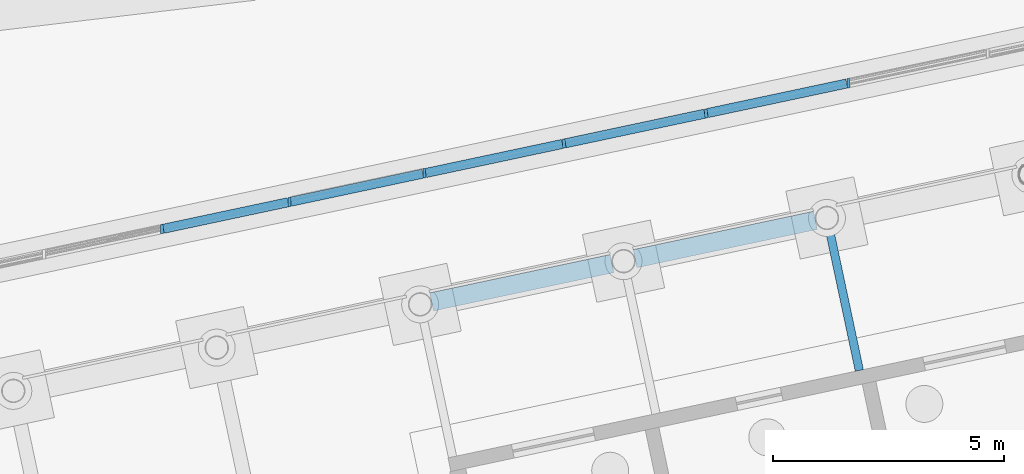
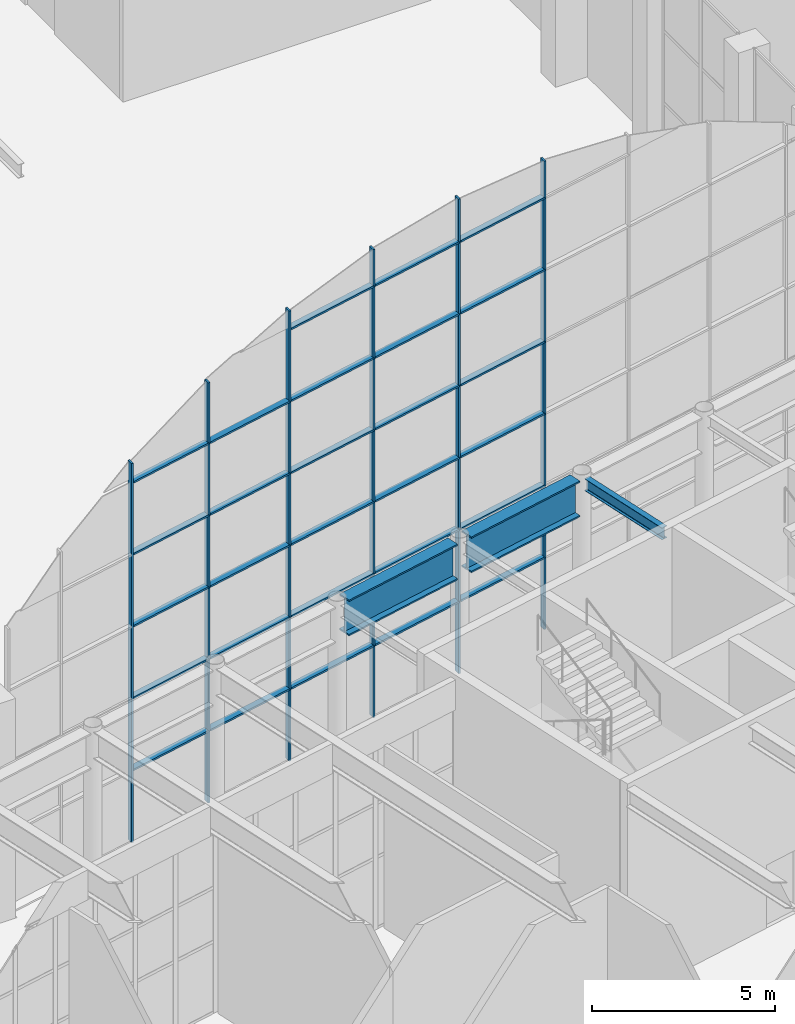
# One storey, part 105 of 239: 34 members, 3 beams, 1 element without a shape of its own.
"""IFC4 building model written with IfcOpenShell, lengths in metres."""

from ifc_helpers import new_model, si_unit, direction, frame, origin, origin_2d, place, context, subcontext, project, spatial, rectangle, i_section, extrude, material, material_profile, profile_set, type_object, element, aggregate, save


model = new_model("IFC4")

# Units and contexts
model_context = context("Model", 3, precision=1e-05, world=origin(), true_north=direction((0.0, 1.0)))
body_context = subcontext(model_context, "Body", "Model", "MODEL_VIEW")
ifc_project = project(units=[si_unit("LENGTHUNIT", "METRE"), si_unit("AREAUNIT", "SQUARE_METRE"), si_unit("VOLUMEUNIT", "CUBIC_METRE"), si_unit("PLANEANGLEUNIT", "RADIAN"), si_unit("MASSUNIT", "GRAM", prefix="KILO")], contexts=[model_context])

# Site, building, storey
site_placement = place(None, origin())
site = spatial("IfcSite", under=ifc_project, at=site_placement, CompositionType="ELEMENT")
building_placement = place(site_placement, origin())
building = spatial("IfcBuilding", under=site, at=building_placement, Name="Okhra Congress Centre", CompositionType="ELEMENT")
storey_placement = place(building_placement, origin())
storey = spatial("IfcBuildingStorey", under=building, at=storey_placement, Name="L00", CompositionType="ELEMENT", Elevation=0.0)

# Curtain wall, members
ifc_material_1 = material(Name="Aluminium frame with triple glazing", Category="aluminium")
curtain_wall_type = type_object("IfcCurtainWallType", Name="Glazed gable curtain wall", PredefinedType="NOTDEFINED", material=ifc_material_1)
curtain_wall_placement = place(storey_placement, origin())
curtain_wall = element("IfcCurtainWall", 1, at=curtain_wall_placement, inside=storey, type_object=curtain_wall_type, Name="South gable glazing", PredefinedType="NOTDEFINED")
ifc_material_2 = material(Name="Aluminium alloy 6063", Category="aluminium")
ifc_material_profile_1 = material_profile(ifc_material_2, rectangle(XDim=0.06005859375, YDim=0.199951171875, at=origin_2d()), Name="AL 60x200 gable")
ifc_profile_set_1 = profile_set([ifc_material_profile_1], Name="Aluminium alloy 6063")
member_type_1 = type_object("IfcMemberType", Name="Aluminium gable mullion 60x200", PredefinedType="MULLION", material=ifc_profile_set_1)
member_1_placement = place(storey_placement, frame((160.475830078125, 75.304931640625, 0.0), z_axis=(0.0, 0.0, 1.0), x_axis=(1.0, 0.0, 0.0)))
member_1 = element("IfcMember", 2, at=member_1_placement, type_object=member_type_1, Name="South gable glazing mullion 3", PredefinedType="MULLION", context=body_context, shape_type="SweptSolid", body=[
    extrude(rectangle(XDim=0.06005859375, YDim=0.199951171875, at=origin_2d()), origin(), (0.0, 0.0, 1.0), 12.65673828125),
])
member_2_placement = place(storey_placement, frame((163.235595703125, 75.8916015625, 0.0), z_axis=(0.0, 0.0, 1.0), x_axis=(1.0, 0.0, 0.0)))
member_2 = element("IfcMember", 3, at=member_2_placement, type_object=member_type_1, Name="South gable glazing mullion 4", PredefinedType="MULLION", context=body_context, shape_type="SweptSolid", body=[
    extrude(rectangle(XDim=0.06005859375, YDim=0.199951171875, at=origin_2d()), origin(), (0.0, 0.0, 1.0), 14.0302734375),
])
member_3_placement = place(storey_placement, frame((166.15185546875, 76.51171875, 0.0), z_axis=(0.0, 0.0, 1.0), x_axis=(1.0, 0.0, 0.0)))
member_3 = element("IfcMember", 4, at=member_3_placement, type_object=member_type_1, Name="South gable glazing mullion 5", PredefinedType="MULLION", context=body_context, shape_type="SweptSolid", body=[
    extrude(rectangle(XDim=0.06005859375, YDim=0.199951171875, at=origin_2d()), origin(), (0.0, 0.0, 1.0), 15.02880859375),
])
member_4_placement = place(storey_placement, frame((169.174072265625, 77.154296875, 0.0), z_axis=(0.0, 0.0, 1.0), x_axis=(1.0, 0.0, 0.0)))
member_4 = element("IfcMember", 5, at=member_4_placement, type_object=member_type_1, Name="South gable glazing mullion 6", PredefinedType="MULLION", context=body_context, shape_type="SweptSolid", body=[
    extrude(rectangle(XDim=0.06005859375, YDim=0.199951171875, at=origin_2d()), origin(), (0.0, 0.0, 1.0), 15.634765625),
])
member_5_placement = place(storey_placement, frame((172.25, 77.80810546875, 0.0), z_axis=(0.0, 0.0, 1.0), x_axis=(1.0, 0.0, 0.0)))
member_5 = element("IfcMember", 6, at=member_5_placement, type_object=member_type_1, Name="South gable glazing mullion 7", PredefinedType="MULLION", context=body_context, shape_type="SweptSolid", body=[
    extrude(rectangle(XDim=0.06005859375, YDim=0.199951171875, at=origin_2d()), origin(), (0.0, 0.0, 1.0), 15.838134765625),
])
member_6_placement = place(storey_placement, frame((175.325927734375, 78.462158203125, 0.0), z_axis=(0.0, 0.0, 1.0), x_axis=(1.0, 0.0, 0.0)))
member_6 = element("IfcMember", 7, at=member_6_placement, type_object=member_type_1, Name="South gable glazing mullion 8", PredefinedType="MULLION", context=body_context, shape_type="SweptSolid", body=[
    extrude(rectangle(XDim=0.06005859375, YDim=0.199951171875, at=origin_2d()), origin(), (0.0, 0.0, 1.0), 15.634765625),
])
ifc_material_profile_2 = material_profile(ifc_material_2, rectangle(XDim=0.199951171875, YDim=0.06005859375, at=origin_2d()), Name="AL 200x60 gable transom")
ifc_profile_set_2 = profile_set([ifc_material_profile_2], Name="Aluminium alloy 6063")
member_type_2 = type_object("IfcMemberType", Name="Aluminium gable transom 200x60", PredefinedType="USERDEFINED", material=ifc_profile_set_2)
member_7_placement = place(storey_placement, frame((160.505859375, 75.311279296875, 2.39990234375), z_axis=(0.978137713941, 0.207958199084, 0.0), x_axis=(-0.207958199084, 0.978137713941, 0.0)))
member_7 = element("IfcMember", 8, at=member_7_placement, type_object=member_type_2, Name="South gable glazing transom 3.1", ObjectType="TRANSOM", PredefinedType="USERDEFINED", context=body_context, shape_type="SweptSolid", body=[
    extrude(rectangle(XDim=0.199951171875, YDim=0.06005859375, at=origin_2d()), origin(), (0.0, 0.0, 1.0), 2.760009765625),
])
member_8_placement = place(storey_placement, frame((160.505859375, 75.311279296875, 4.800048828125), z_axis=(0.978137713941, 0.207958199084, 0.0), x_axis=(-0.207958199084, 0.978137713941, 0.0)))
member_8 = element("IfcMember", 9, at=member_8_placement, type_object=member_type_2, Name="South gable glazing transom 3.2", ObjectType="TRANSOM", PredefinedType="USERDEFINED", context=body_context, shape_type="SweptSolid", body=[
    extrude(rectangle(XDim=0.199951171875, YDim=0.06005859375, at=origin_2d()), origin(), (0.0, 0.0, 1.0), 2.760009765625),
])
member_9_placement = place(storey_placement, frame((160.505859375, 75.311279296875, 7.199951171875), z_axis=(0.978137713941, 0.207958199084, 0.0), x_axis=(-0.207958199084, 0.978137713941, 0.0)))
member_9 = element("IfcMember", 10, at=member_9_placement, type_object=member_type_2, Name="South gable glazing transom 3.3", ObjectType="TRANSOM", PredefinedType="USERDEFINED", context=body_context, shape_type="SweptSolid", body=[
    extrude(rectangle(XDim=0.199951171875, YDim=0.06005859375, at=origin_2d()), origin(), (0.0, 0.0, 1.0), 2.760009765625),
])
member_10_placement = place(storey_placement, frame((160.505859375, 75.311279296875, 9.60009765625), z_axis=(0.978137713941, 0.207958199084, 0.0), x_axis=(-0.207958199084, 0.978137713941, 0.0)))
member_10 = element("IfcMember", 11, at=member_10_placement, type_object=member_type_2, Name="South gable glazing transom 3.4", ObjectType="TRANSOM", PredefinedType="USERDEFINED", context=body_context, shape_type="SweptSolid", body=[
    extrude(rectangle(XDim=0.199951171875, YDim=0.06005859375, at=origin_2d()), origin(), (0.0, 0.0, 1.0), 2.760009765625),
])
member_11_placement = place(storey_placement, frame((160.505859375, 75.311279296875, 12.0), z_axis=(0.978137713941, 0.207958199084, 0.0), x_axis=(-0.207958199084, 0.978137713941, 0.0)))
member_11 = element("IfcMember", 12, at=member_11_placement, type_object=member_type_2, Name="South gable glazing transom 3.5", ObjectType="TRANSOM", PredefinedType="USERDEFINED", context=body_context, shape_type="SweptSolid", body=[
    extrude(rectangle(XDim=0.199951171875, YDim=0.06005859375, at=origin_2d()), origin(), (0.0, 0.0, 1.0), 2.760009765625),
])
member_12_placement = place(storey_placement, frame((163.265625, 75.89794921875, 2.39990234375), z_axis=(0.978125477769, 0.208015743969, 0.0), x_axis=(-0.208015743969, 0.978125477769, 0.0)))
member_12 = element("IfcMember", 13, at=member_12_placement, type_object=member_type_2, Name="South gable glazing transom 4.1", ObjectType="TRANSOM", PredefinedType="USERDEFINED", context=body_context, shape_type="SweptSolid", body=[
    extrude(rectangle(XDim=0.199951171875, YDim=0.06005859375, at=origin_2d()), origin(), (0.0, 0.0, 1.0), 2.920166015625),
])
member_13_placement = place(storey_placement, frame((163.265625, 75.89794921875, 4.800048828125), z_axis=(0.978125477769, 0.208015743969, 0.0), x_axis=(-0.208015743969, 0.978125477769, 0.0)))
member_13 = element("IfcMember", 14, at=member_13_placement, type_object=member_type_2, Name="South gable glazing transom 4.2", ObjectType="TRANSOM", PredefinedType="USERDEFINED", context=body_context, shape_type="SweptSolid", body=[
    extrude(rectangle(XDim=0.199951171875, YDim=0.06005859375, at=origin_2d()), origin(), (0.0, 0.0, 1.0), 2.920166015625),
])
member_14_placement = place(storey_placement, frame((163.265625, 75.89794921875, 7.199951171875), z_axis=(0.978125477769, 0.208015743969, 0.0), x_axis=(-0.208015743969, 0.978125477769, 0.0)))
member_14 = element("IfcMember", 15, at=member_14_placement, type_object=member_type_2, Name="South gable glazing transom 4.3", ObjectType="TRANSOM", PredefinedType="USERDEFINED", context=body_context, shape_type="SweptSolid", body=[
    extrude(rectangle(XDim=0.199951171875, YDim=0.06005859375, at=origin_2d()), origin(), (0.0, 0.0, 1.0), 2.920166015625),
])
member_15_placement = place(storey_placement, frame((163.265625, 75.89794921875, 9.60009765625), z_axis=(0.978125477769, 0.208015743969, 0.0), x_axis=(-0.208015743969, 0.978125477769, 0.0)))
member_15 = element("IfcMember", 16, at=member_15_placement, type_object=member_type_2, Name="South gable glazing transom 4.4", ObjectType="TRANSOM", PredefinedType="USERDEFINED", context=body_context, shape_type="SweptSolid", body=[
    extrude(rectangle(XDim=0.199951171875, YDim=0.06005859375, at=origin_2d()), origin(), (0.0, 0.0, 1.0), 2.920166015625),
])
member_16_placement = place(storey_placement, frame((163.265625, 75.89794921875, 12.0), z_axis=(0.978125477769, 0.208015743969, 0.0), x_axis=(-0.208015743969, 0.978125477769, 0.0)))
member_16 = element("IfcMember", 17, at=member_16_placement, type_object=member_type_2, Name="South gable glazing transom 4.5", ObjectType="TRANSOM", PredefinedType="USERDEFINED", context=body_context, shape_type="SweptSolid", body=[
    extrude(rectangle(XDim=0.199951171875, YDim=0.06005859375, at=origin_2d()), origin(), (0.0, 0.0, 1.0), 2.920166015625),
])
member_17_placement = place(storey_placement, frame((166.181884765625, 76.51806640625, 2.39990234375), z_axis=(0.978150245323, 0.207899248614, 0.0), x_axis=(-0.207899248614, 0.978150245323, 0.0)))
member_17 = element("IfcMember", 18, at=member_17_placement, type_object=member_type_2, Name="South gable glazing transom 5.1", ObjectType="TRANSOM", PredefinedType="USERDEFINED", context=body_context, shape_type="SweptSolid", body=[
    extrude(rectangle(XDim=0.199951171875, YDim=0.06005859375, at=origin_2d()), origin(), (0.0, 0.0, 1.0), 3.028564453125),
])
member_18_placement = place(storey_placement, frame((166.181884765625, 76.51806640625, 4.800048828125), z_axis=(0.978150245323, 0.207899248614, 0.0), x_axis=(-0.207899248614, 0.978150245323, 0.0)))
member_18 = element("IfcMember", 19, at=member_18_placement, type_object=member_type_2, Name="South gable glazing transom 5.2", ObjectType="TRANSOM", PredefinedType="USERDEFINED", context=body_context, shape_type="SweptSolid", body=[
    extrude(rectangle(XDim=0.199951171875, YDim=0.06005859375, at=origin_2d()), origin(), (0.0, 0.0, 1.0), 3.028564453125),
])
member_19_placement = place(storey_placement, frame((166.181884765625, 76.51806640625, 7.199951171875), z_axis=(0.978150245323, 0.207899248614, 0.0), x_axis=(-0.207899248614, 0.978150245323, 0.0)))
member_19 = element("IfcMember", 20, at=member_19_placement, type_object=member_type_2, Name="South gable glazing transom 5.3", ObjectType="TRANSOM", PredefinedType="USERDEFINED", context=body_context, shape_type="SweptSolid", body=[
    extrude(rectangle(XDim=0.199951171875, YDim=0.06005859375, at=origin_2d()), origin(), (0.0, 0.0, 1.0), 3.028564453125),
])
member_20_placement = place(storey_placement, frame((166.181884765625, 76.51806640625, 9.60009765625), z_axis=(0.978150245323, 0.207899248614, 0.0), x_axis=(-0.207899248614, 0.978150245323, 0.0)))
member_20 = element("IfcMember", 21, at=member_20_placement, type_object=member_type_2, Name="South gable glazing transom 5.4", ObjectType="TRANSOM", PredefinedType="USERDEFINED", context=body_context, shape_type="SweptSolid", body=[
    extrude(rectangle(XDim=0.199951171875, YDim=0.06005859375, at=origin_2d()), origin(), (0.0, 0.0, 1.0), 3.028564453125),
])
member_21_placement = place(storey_placement, frame((166.181884765625, 76.51806640625, 12.0), z_axis=(0.978150245323, 0.207899248614, 0.0), x_axis=(-0.207899248614, 0.978150245323, 0.0)))
member_21 = element("IfcMember", 22, at=member_21_placement, type_object=member_type_2, Name="South gable glazing transom 5.5", ObjectType="TRANSOM", PredefinedType="USERDEFINED", context=body_context, shape_type="SweptSolid", body=[
    extrude(rectangle(XDim=0.199951171875, YDim=0.06005859375, at=origin_2d()), origin(), (0.0, 0.0, 1.0), 3.028564453125),
])
member_22_placement = place(storey_placement, frame((166.181884765625, 76.51806640625, 14.39990234375), z_axis=(0.978150245323, 0.207899248614, 0.0), x_axis=(-0.207899248614, 0.978150245323, 0.0)))
member_22 = element("IfcMember", 23, at=member_22_placement, type_object=member_type_2, Name="South gable glazing transom 5.6", ObjectType="TRANSOM", PredefinedType="USERDEFINED", context=body_context, shape_type="SweptSolid", body=[
    extrude(rectangle(XDim=0.199951171875, YDim=0.06005859375, at=origin_2d()), origin(), (0.0, 0.0, 1.0), 3.028564453125),
])
member_23_placement = place(storey_placement, frame((169.2041015625, 77.16064453125, 2.39990234375), z_axis=(0.978142949976, 0.207933569711, 0.0), x_axis=(-0.207933569711, 0.978142949976, 0.0)))
member_23 = element("IfcMember", 24, at=member_23_placement, type_object=member_type_2, Name="South gable glazing transom 6.1", ObjectType="TRANSOM", PredefinedType="USERDEFINED", context=body_context, shape_type="SweptSolid", body=[
    extrude(rectangle(XDim=0.199951171875, YDim=0.06005859375, at=origin_2d()), origin(), (0.0, 0.0, 1.0), 3.083251953125),
])
member_24_placement = place(storey_placement, frame((169.2041015625, 77.16064453125, 4.800048828125), z_axis=(0.978142949976, 0.207933569711, 0.0), x_axis=(-0.207933569711, 0.978142949976, 0.0)))
member_24 = element("IfcMember", 25, at=member_24_placement, type_object=member_type_2, Name="South gable glazing transom 6.2", ObjectType="TRANSOM", PredefinedType="USERDEFINED", context=body_context, shape_type="SweptSolid", body=[
    extrude(rectangle(XDim=0.199951171875, YDim=0.06005859375, at=origin_2d()), origin(), (0.0, 0.0, 1.0), 3.083251953125),
])
member_25_placement = place(storey_placement, frame((169.2041015625, 77.16064453125, 7.199951171875), z_axis=(0.978142949976, 0.207933569711, 0.0), x_axis=(-0.207933569711, 0.978142949976, 0.0)))
member_25 = element("IfcMember", 26, at=member_25_placement, type_object=member_type_2, Name="South gable glazing transom 6.3", ObjectType="TRANSOM", PredefinedType="USERDEFINED", context=body_context, shape_type="SweptSolid", body=[
    extrude(rectangle(XDim=0.199951171875, YDim=0.06005859375, at=origin_2d()), origin(), (0.0, 0.0, 1.0), 3.083251953125),
])
member_26_placement = place(storey_placement, frame((169.2041015625, 77.16064453125, 9.60009765625), z_axis=(0.978142949976, 0.207933569711, 0.0), x_axis=(-0.207933569711, 0.978142949976, 0.0)))
member_26 = element("IfcMember", 27, at=member_26_placement, type_object=member_type_2, Name="South gable glazing transom 6.4", ObjectType="TRANSOM", PredefinedType="USERDEFINED", context=body_context, shape_type="SweptSolid", body=[
    extrude(rectangle(XDim=0.199951171875, YDim=0.06005859375, at=origin_2d()), origin(), (0.0, 0.0, 1.0), 3.083251953125),
])
member_27_placement = place(storey_placement, frame((169.2041015625, 77.16064453125, 12.0), z_axis=(0.978142949976, 0.207933569711, 0.0), x_axis=(-0.207933569711, 0.978142949976, 0.0)))
member_27 = element("IfcMember", 28, at=member_27_placement, type_object=member_type_2, Name="South gable glazing transom 6.5", ObjectType="TRANSOM", PredefinedType="USERDEFINED", context=body_context, shape_type="SweptSolid", body=[
    extrude(rectangle(XDim=0.199951171875, YDim=0.06005859375, at=origin_2d()), origin(), (0.0, 0.0, 1.0), 3.083251953125),
])
member_28_placement = place(storey_placement, frame((169.2041015625, 77.16064453125, 14.39990234375), z_axis=(0.978142949976, 0.207933569711, 0.0), x_axis=(-0.207933569711, 0.978142949976, 0.0)))
member_28 = element("IfcMember", 29, at=member_28_placement, type_object=member_type_2, Name="South gable glazing transom 6.6", ObjectType="TRANSOM", PredefinedType="USERDEFINED", context=body_context, shape_type="SweptSolid", body=[
    extrude(rectangle(XDim=0.199951171875, YDim=0.06005859375, at=origin_2d()), origin(), (0.0, 0.0, 1.0), 3.083251953125),
])
member_29_placement = place(storey_placement, frame((172.280029296875, 77.814453125, 2.39990234375), z_axis=(0.978142949976, 0.207933569711, 0.0), x_axis=(-0.207933569711, 0.978142949976, 0.0)))
member_29 = element("IfcMember", 30, at=member_29_placement, type_object=member_type_2, Name="South gable glazing transom 7.1", ObjectType="TRANSOM", PredefinedType="USERDEFINED", context=body_context, shape_type="SweptSolid", body=[
    extrude(rectangle(XDim=0.199951171875, YDim=0.06005859375, at=origin_2d()), origin(), (0.0, 0.0, 1.0), 3.083251953125),
])
member_30_placement = place(storey_placement, frame((172.280029296875, 77.814453125, 4.800048828125), z_axis=(0.978142949976, 0.207933569711, 0.0), x_axis=(-0.207933569711, 0.978142949976, 0.0)))
member_30 = element("IfcMember", 31, at=member_30_placement, type_object=member_type_2, Name="South gable glazing transom 7.2", ObjectType="TRANSOM", PredefinedType="USERDEFINED", context=body_context, shape_type="SweptSolid", body=[
    extrude(rectangle(XDim=0.199951171875, YDim=0.06005859375, at=origin_2d()), origin(), (0.0, 0.0, 1.0), 3.083251953125),
])
member_31_placement = place(storey_placement, frame((172.280029296875, 77.814453125, 7.199951171875), z_axis=(0.978142949976, 0.207933569711, 0.0), x_axis=(-0.207933569711, 0.978142949976, 0.0)))
member_31 = element("IfcMember", 32, at=member_31_placement, type_object=member_type_2, Name="South gable glazing transom 7.3", ObjectType="TRANSOM", PredefinedType="USERDEFINED", context=body_context, shape_type="SweptSolid", body=[
    extrude(rectangle(XDim=0.199951171875, YDim=0.06005859375, at=origin_2d()), origin(), (0.0, 0.0, 1.0), 3.083251953125),
])
member_32_placement = place(storey_placement, frame((172.280029296875, 77.814453125, 9.60009765625), z_axis=(0.978142949976, 0.207933569711, 0.0), x_axis=(-0.207933569711, 0.978142949976, 0.0)))
member_32 = element("IfcMember", 33, at=member_32_placement, type_object=member_type_2, Name="South gable glazing transom 7.4", ObjectType="TRANSOM", PredefinedType="USERDEFINED", context=body_context, shape_type="SweptSolid", body=[
    extrude(rectangle(XDim=0.199951171875, YDim=0.06005859375, at=origin_2d()), origin(), (0.0, 0.0, 1.0), 3.083251953125),
])
member_33_placement = place(storey_placement, frame((172.280029296875, 77.814453125, 12.0), z_axis=(0.978142949976, 0.207933569711, 0.0), x_axis=(-0.207933569711, 0.978142949976, 0.0)))
member_33 = element("IfcMember", 34, at=member_33_placement, type_object=member_type_2, Name="South gable glazing transom 7.5", ObjectType="TRANSOM", PredefinedType="USERDEFINED", context=body_context, shape_type="SweptSolid", body=[
    extrude(rectangle(XDim=0.199951171875, YDim=0.06005859375, at=origin_2d()), origin(), (0.0, 0.0, 1.0), 3.083251953125),
])
member_34_placement = place(storey_placement, frame((172.280029296875, 77.814453125, 14.39990234375), z_axis=(0.978142949976, 0.207933569711, 0.0), x_axis=(-0.207933569711, 0.978142949976, 0.0)))
member_34 = element("IfcMember", 35, at=member_34_placement, type_object=member_type_2, Name="South gable glazing transom 7.6", ObjectType="TRANSOM", PredefinedType="USERDEFINED", context=body_context, shape_type="SweptSolid", body=[
    extrude(rectangle(XDim=0.199951171875, YDim=0.06005859375, at=origin_2d()), origin(), (0.0, 0.0, 1.0), 3.083251953125),
])
aggregate(curtain_wall, [member_1, member_2, member_3, member_4, member_5, member_6, member_7, member_8, member_9, member_10, member_11, member_12, member_13, member_14, member_15, member_16, member_17, member_18, member_19, member_20, member_21, member_22, member_23, member_24, member_25, member_26, member_27, member_28, member_29, member_30, member_31, member_32, member_33, member_34])

# Beams
ifc_material_3 = material(Name="Steel S355J2", Category="steel")
ifc_material_profile_3 = material_profile(ifc_material_3, i_section(OverallWidth=0.179931640625, OverallDepth=0.39990234375, WebThickness=0.008544921875, FlangeThickness=0.013427734375, FilletRadius=0.02099609375, at=origin_2d()), Name="IPE 400")
ifc_profile_set_3 = profile_set([ifc_material_profile_3], Name="Steel S355J2")
beam_type_1 = type_object("IfcBeamType", Name="Floor beam stub IPE 400", PredefinedType="BEAM", material=ifc_profile_set_3)
beam_1_placement = place(storey_placement, frame((175.567626953125, 72.244873046875, 6.85009765625), z_axis=(-0.20785875582, 0.978158850918, 0.0), x_axis=(-0.978158850918, -0.20785875582, 0.0)))
element("IfcBeam", 36, at=beam_1_placement, inside=storey, type_object=beam_type_1, Name="Floor beam 27.2", PredefinedType="BEAM", context=body_context, shape_type="SweptSolid", body=[
    extrude(i_section(OverallWidth=0.179931640625, OverallDepth=0.39990234375, WebThickness=0.008544921875, FlangeThickness=0.013427734375, FilletRadius=0.02099609375, at=origin_2d()), origin(), (0.0, 0.0, 1.0), 3.1748046875),
])
ifc_material_profile_4 = material_profile(ifc_material_3, i_section(OverallWidth=0.39990234375, OverallDepth=1.199951171875, WebThickness=0.02490234375, FlangeThickness=0.050048828125, at=origin_2d()), Name="Plate girder 1200x400")
ifc_profile_set_4 = profile_set([ifc_material_profile_4], Name="Steel S355J2")
beam_type_2 = type_object("IfcBeamType", Name="Perimeter plate girder 1200x400", PredefinedType="BEAM", material=ifc_profile_set_4)
beam_2_placement = place(storey_placement, frame((166.311279296875, 73.7275390625, 6.449951171875), z_axis=(0.978140349848, 0.20794580063, 0.0), x_axis=(-0.20794580063, 0.978140349848, 0.0)))
element("IfcBeam", 37, at=beam_2_placement, inside=storey, type_object=beam_type_2, Name="Perimeter girder N23", PredefinedType="BEAM", context=body_context, shape_type="SweptSolid", body=[
    extrude(i_section(OverallWidth=0.39990234375, OverallDepth=1.199951171875, WebThickness=0.02490234375, FlangeThickness=0.050048828125, at=origin_2d()), origin(), (0.0, 0.0, 1.0), 3.99169921875),
])
beam_3_placement = place(storey_placement, frame((170.712890625, 74.663330078125, 6.449951171875), z_axis=(0.978155431297, 0.207874847504, 0.0), x_axis=(-0.207874847504, 0.978155431297, 0.0)))
element("IfcBeam", 38, at=beam_3_placement, inside=storey, type_object=beam_type_2, Name="Perimeter girder N24", PredefinedType="BEAM", context=body_context, shape_type="SweptSolid", body=[
    extrude(i_section(OverallWidth=0.39990234375, OverallDepth=1.199951171875, WebThickness=0.02490234375, FlangeThickness=0.050048828125, at=origin_2d()), origin(), (0.0, 0.0, 1.0), 3.991943359375),
])

save(model, "model.ifc")
